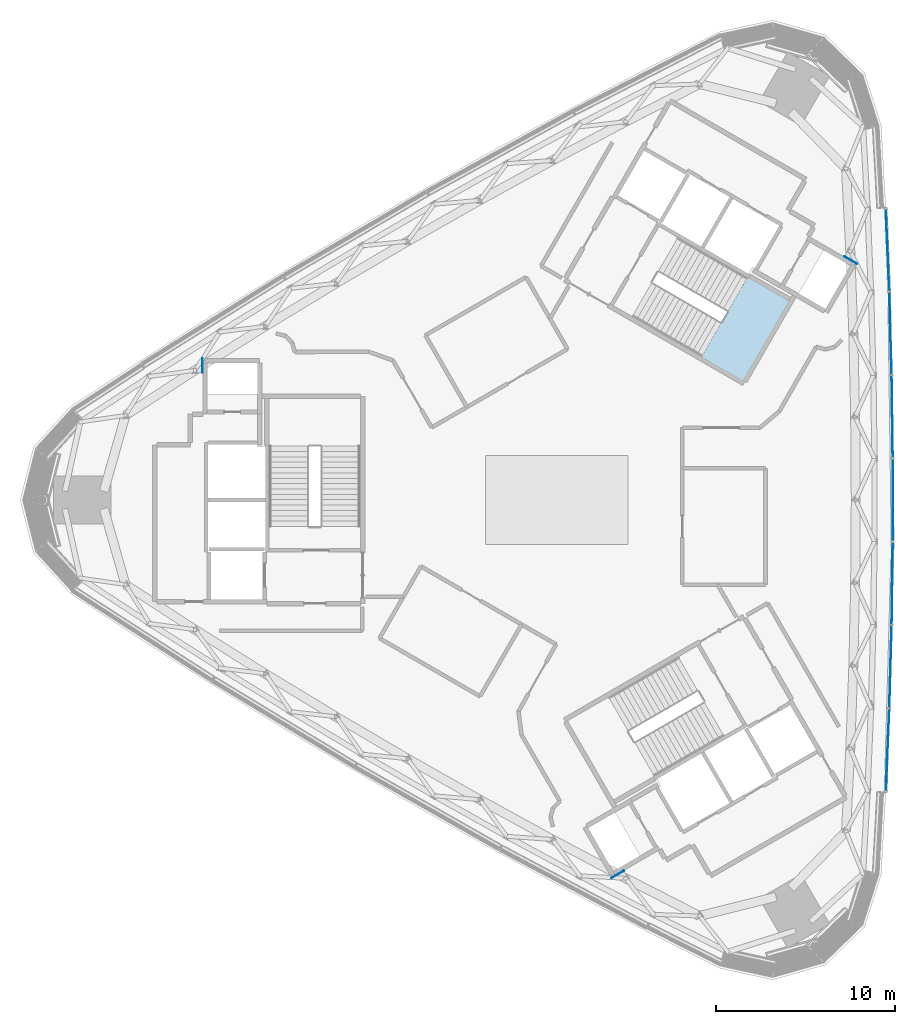
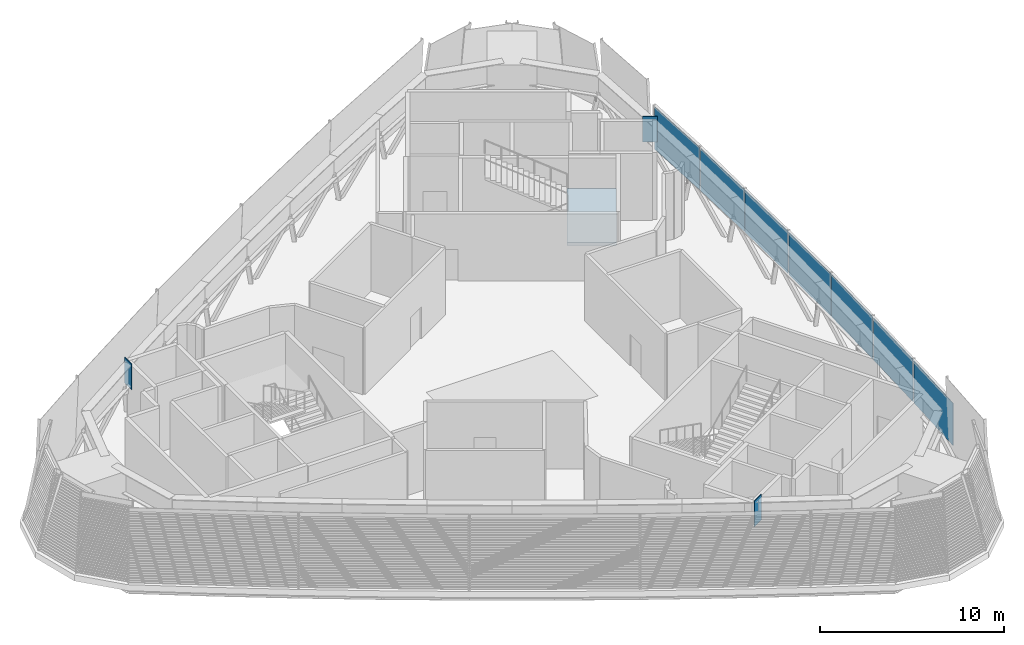
# One storey, part 5 of 18: 10 plates, 1 slab, 2 elements without a shape of their own.
"""IFC4 building model written with IfcOpenShell, lengths in metres."""

from ifc_helpers import new_model, si_unit, direction, frame, origin, origin_2d, place, context, subcontext, project, spatial, polyline, rectangle, outline, extrude, material, layer, layer_set, type_object, element, aggregate, save


model = new_model("IFC4")

# Units and contexts
model_context = context("Model", 3, precision=1e-05, world=origin(), true_north=direction((0.0, 1.0)))
body_context = subcontext(model_context, "Body", "Model", "MODEL_VIEW")
ifc_project = project(units=[si_unit("LENGTHUNIT", "METRE"), si_unit("AREAUNIT", "SQUARE_METRE"), si_unit("VOLUMEUNIT", "CUBIC_METRE"), si_unit("PLANEANGLEUNIT", "RADIAN"), si_unit("MASSUNIT", "GRAM", prefix="KILO")], contexts=[model_context])

# Site, building, storey
site_placement = place(None, origin())
site = spatial("IfcSite", under=ifc_project, at=site_placement, CompositionType="ELEMENT")
building_placement = place(site_placement, origin())
building = spatial("IfcBuilding", under=site, at=building_placement, Name="Tamra Quay Hotel Tower", CompositionType="ELEMENT")
storey_placement = place(building_placement, frame((0.0, 0.0, 211.60009765625)))
storey = spatial("IfcBuildingStorey", under=building, at=storey_placement, Name="L53", CompositionType="ELEMENT", Elevation=211.60009765625)

# Plates
ifc_material_1 = material(Name="Structural steel IS 2062 E350", Category="steel")
ifc_layer_1 = layer(ifc_material_1, 0.0400390625)
ifc_layer_set_1 = layer_set([ifc_layer_1], Name="CAST IN PLATE 40")
plate_type_1 = type_object("IfcPlateType", Name="CAST IN PLATE 40", PredefinedType="SHEET", material=ifc_layer_set_1)
for number, where, z_axis, x_axis, name in (
    (1, (-19.7822265625, 7.510986328125, 2.89990234375), (0.0, 0.0, 1.0), (-1.0, 0.0, 0.0), "Cast-in plate EP-TC4-1"),
    (2, (3.38623046875, -20.887451171875, 2.89990234375), (0.0, 0.0, 1.0), (0.5, -0.866025403784, 0.0), "Cast-in plate EP-TC4-2"),
    (3, (16.39599609375, 13.37646484375, 2.89990234375), (0.0, 0.0, 1.0), (0.5, 0.866025403784, 0.0), "Cast-in plate EP-TC4-3"),
):
    element("IfcPlate", number, at=place(storey_placement, frame(where, z_axis=z_axis, x_axis=x_axis)), inside=storey, type_object=plate_type_1, Name=name, PredefinedType="SHEET", context=body_context, shape_type="SweptSolid", body=[
        extrude(rectangle(XDim=0.0400390625, YDim=0.800048828125, at=origin_2d()), origin(), (0.0, 0.0, 1.0), 1.699951171875),
    ])

# Stair, slab
ifc_material_2 = material(Name="Exit stair 2200 32 risers 150.0 going 299")
stair_type = type_object("IfcStairType", Name="Exit stair 2200 32 risers 150.0 going 299", PredefinedType="HALF_TURN_STAIR", material=ifc_material_2)
stair_placement = place(storey_placement, origin())
stair = element("IfcStair", 4, at=stair_placement, inside=storey, type_object=stair_type, Name="L53 Exit stair ST1", PredefinedType="HALF_TURN_STAIR")
ifc_material_3 = material(Name="Concrete M70", Category="concrete")
ifc_layer_2 = layer(ifc_material_3, 0.175048828125)
ifc_layer_set_2 = layer_set([ifc_layer_2], Name="Concrete M70 stair landing 180")
slab_type = type_object("IfcSlabType", Name="Concrete M70 stair landing 180", PredefinedType="LANDING", material=ifc_layer_set_2)
slab_placement = place(storey_placement, frame((0.0, 0.0, 2.224853515625)))
slab = element("IfcSlab", 5, at=slab_placement, type_object=slab_type, Name="ST1 landing 1", PredefinedType="LANDING", context=body_context, shape_type="SweptSolid", body=[
    extrude(outline(polyline([(8.051025390625, 7.97509765625), (10.385009765625, 6.627685546875), (12.964599609375, 11.095458984375), (10.630615234375, 12.443115234375), (8.051025390625, 7.97509765625)])), origin(), (0.0, 0.0, 1.0), 0.175048828125),
])
aggregate(stair, [slab])

# Curtain wall, plates
ifc_material_4 = material(Name="Aluminium 6063 anodised dark grey", Category="aluminium")
curtain_wall_type = type_object("IfcCurtainWallType", Name="CW1 CURTAIN WALL", PredefinedType="NOTDEFINED", material=ifc_material_4)
curtain_wall_placement = place(storey_placement, origin())
curtain_wall = element("IfcCurtainWall", 6, at=curtain_wall_placement, inside=storey, type_object=curtain_wall_type, Name="CW1 east face L53", PredefinedType="NOTDEFINED")
ifc_material_5 = material(Name="Terracotta cladding panel on aluminium frame", Category="masonry")
ifc_layer_3 = layer(ifc_material_5, 0.030029296875)
ifc_layer_set_3 = layer_set([ifc_layer_3], Name="SOLID PANEL CW1 Z4")
plate_type_2 = type_object("IfcPlateType", Name="SOLID PANEL CW1 Z4", PredefinedType="CURTAIN_PANEL", material=ifc_layer_set_3)
plate_1_placement = place(storey_placement, frame((18.447021484375, -13.951171875, -0.000244140625), z_axis=(0.0, 0.0, 1.0), x_axis=(0.04160031157, 0.999134332348, 0.0)))
plate_1 = element("IfcPlate", 7, at=plate_1_placement, type_object=plate_type_2, Name="CW1 solid panel L53.E.1", PredefinedType="CURTAIN_PANEL", context=body_context, shape_type="SweptSolid", body=[
    extrude(rectangle(XDim=4.552001953125, YDim=0.030029296875, at=origin_2d()), origin(), (0.0, 0.0, 1.0), 2.81005859375),
])
plate_2_placement = place(storey_placement, frame((18.6083984375, -9.30224609375, -0.000244140625), z_axis=(0.0, 0.0, 1.0), x_axis=(0.027753765923, 0.999614790045, 0.0)))
plate_2 = element("IfcPlate", 8, at=plate_2_placement, type_object=plate_type_2, Name="CW1 solid panel L53.E.2", PredefinedType="CURTAIN_PANEL", context=body_context, shape_type="SweptSolid", body=[
    extrude(rectangle(XDim=4.551513671875, YDim=0.030029296875, at=origin_2d()), origin(), (0.0, 0.0, 1.0), 2.81005859375),
])
plate_3_placement = place(storey_placement, frame((18.705078125, -4.651611328125, -0.000244140625), z_axis=(0.0, 0.0, 1.0), x_axis=(0.013885660934, 0.999903589563, 0.0)))
plate_3 = element("IfcPlate", 9, at=plate_3_placement, type_object=plate_type_2, Name="CW1 solid panel L53.E.3", PredefinedType="CURTAIN_PANEL", context=body_context, shape_type="SweptSolid", body=[
    extrude(rectangle(XDim=4.552001953125, YDim=0.030029296875, at=origin_2d()), origin(), (0.0, 0.0, 1.0), 2.81005859375),
])
plate_4_placement = place(storey_placement, frame((18.737548828125, 0.0, -0.000244140625), z_axis=(0.0, 0.0, 1.0), x_axis=(0.0, 1.0, 0.0)))
plate_4 = element("IfcPlate", 10, at=plate_4_placement, type_object=plate_type_2, Name="CW1 solid panel L53.E.4", PredefinedType="CURTAIN_PANEL", context=body_context, shape_type="SweptSolid", body=[
    extrude(rectangle(XDim=4.552001953125, YDim=0.030029296875, at=origin_2d()), origin(), (0.0, 0.0, 1.0), 2.81005859375),
])
plate_5_placement = place(storey_placement, frame((18.705078125, 4.651611328125, -0.000244140625), z_axis=(0.0, 0.0, 1.0), x_axis=(-0.013885660934, 0.999903589563, 0.0)))
plate_5 = element("IfcPlate", 11, at=plate_5_placement, type_object=plate_type_2, Name="CW1 solid panel L53.E.5", PredefinedType="CURTAIN_PANEL", context=body_context, shape_type="SweptSolid", body=[
    extrude(rectangle(XDim=4.552001953125, YDim=0.030029296875, at=origin_2d()), origin(), (0.0, 0.0, 1.0), 2.81005859375),
])
plate_6_placement = place(storey_placement, frame((18.6083984375, 9.30224609375, -0.000244140625), z_axis=(0.0, 0.0, 1.0), x_axis=(-0.027753765923, 0.999614790045, 0.0)))
plate_6 = element("IfcPlate", 12, at=plate_6_placement, type_object=plate_type_2, Name="CW1 solid panel L53.E.6", PredefinedType="CURTAIN_PANEL", context=body_context, shape_type="SweptSolid", body=[
    extrude(rectangle(XDim=4.551513671875, YDim=0.030029296875, at=origin_2d()), origin(), (0.0, 0.0, 1.0), 2.81005859375),
])
plate_7_placement = place(storey_placement, frame((18.447021484375, 13.951171875, -0.000244140625), z_axis=(0.0, 0.0, 1.0), x_axis=(-0.04160031157, 0.999134332348, 0.0)))
plate_7 = element("IfcPlate", 13, at=plate_7_placement, type_object=plate_type_2, Name="CW1 solid panel L53.E.7", PredefinedType="CURTAIN_PANEL", context=body_context, shape_type="SweptSolid", body=[
    extrude(rectangle(XDim=4.552001953125, YDim=0.030029296875, at=origin_2d()), origin(), (0.0, 0.0, 1.0), 2.81005859375),
])
aggregate(curtain_wall, [plate_1, plate_2, plate_3, plate_4, plate_5, plate_6, plate_7])

save(model, "model.ifc")
